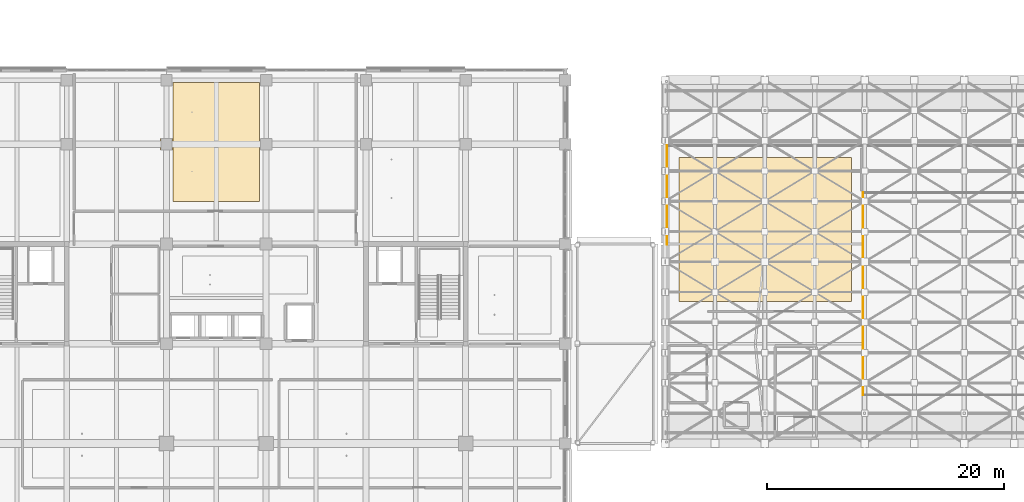
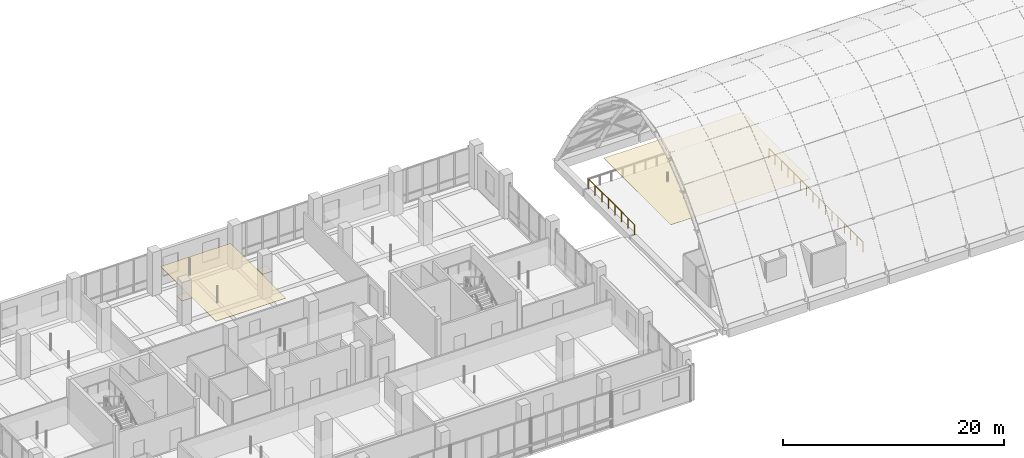
# One storey, part 113 of 128: 2 coverings, 2 railings.
"""IFC4 building model written with IfcOpenShell, lengths in metres."""

from ifc_helpers import new_model, si_unit, direction, frame, origin, origin_2d, place, context, subcontext, project, spatial, polyline, circle, outline, extrude, material, layer, layer_set, type_object, element, save


model = new_model("IFC4")

# Units and contexts
model_context = context("Model", 3, precision=1e-05, world=origin(), true_north=direction((0.0, 1.0)))
body_context = subcontext(model_context, "Body", "Model", "MODEL_VIEW")
ifc_project = project(units=[si_unit("LENGTHUNIT", "METRE"), si_unit("AREAUNIT", "SQUARE_METRE"), si_unit("VOLUMEUNIT", "CUBIC_METRE"), si_unit("PLANEANGLEUNIT", "RADIAN"), si_unit("MASSUNIT", "GRAM", prefix="KILO")], contexts=[model_context])

# Site, building, storey
site_placement = place(None, origin())
site = spatial("IfcSite", under=ifc_project, at=site_placement, CompositionType="ELEMENT")
building_placement = place(site_placement, origin())
building = spatial("IfcBuilding", under=site, at=building_placement, Name="Telukmera Botanical Conservatory", CompositionType="ELEMENT")
storey_placement = place(building_placement, frame((0.0, 0.0, 5.39990234375)))
storey = spatial("IfcBuildingStorey", under=building, at=storey_placement, Name="L01", CompositionType="ELEMENT", Elevation=5.39990234375)

# Coverings
ifc_material_1 = material(Name="Mineral fibre acoustic ceiling")
ifc_layer_1 = layer(ifc_material_1, 0.030029296875)
ifc_layer_set_1 = layer_set([ifc_layer_1], Name="Mineral fibre acoustic ceiling")
covering_type_1 = type_object("IfcCoveringType", Name="COV-CEIL-30", PredefinedType="CEILING", material=ifc_layer_set_1)
covering_1_placement = place(storey_placement, frame((0.0, 0.0, 3.6201171875)))
element("IfcCovering", 1, at=covering_1_placement, inside=storey, type_object=covering_type_1, Name="L01 Conservatory Epiphyte Gallery Suspended Acoustic Ceiling", PredefinedType="CEILING", context=body_context, shape_type="SweptSolid", body=[
    extrude(outline(polyline([(118.75, 29.550048828125), (133.300048828125, 29.550048828125), (133.300048828125, 41.699951171875), (118.75, 41.699951171875), (118.75, 29.550048828125)])), origin(), (0.0, 0.0, 1.0), 0.030029296875),
])
ifc_material_2 = material(Name="Perforated gypsum acoustic ceiling")
ifc_layer_2 = layer(ifc_material_2, 0.0400390625)
ifc_layer_set_2 = layer_set([ifc_layer_2], Name="Perforated gypsum acoustic ceiling")
covering_type_2 = type_object("IfcCoveringType", Name="COV-CEIL-40", PredefinedType="CEILING", material=ifc_layer_set_2)
covering_2_placement = place(storey_placement, frame((0.0, 0.0, 2.760009765625)))
element("IfcCovering", 2, at=covering_2_placement, inside=storey, type_object=covering_type_2, Name="L01 Digital Floristics Laboratory Suspended Acoustic Ceiling", PredefinedType="CEILING", context=body_context, shape_type="SweptSolid", body=[
    extrude(outline(polyline([(76.14501953125, 38.0), (83.455078125, 38.0), (83.455078125, 48.0), (76.14501953125, 48.0), (76.14501953125, 38.0)]), holes=[polyline([(75.10498046875, 42.304931640625), (76.094970703125, 42.304931640625), (76.094970703125, 43.294921875), (75.10498046875, 43.294921875), (75.10498046875, 42.304931640625)]), polyline([(83.5048828125, 42.304931640625), (84.4951171875, 42.304931640625), (84.4951171875, 43.294921875), (83.5048828125, 43.294921875), (83.5048828125, 42.304931640625)])]), origin(), (0.0, 0.0, 1.0), 0.0400390625),
])

# Railings
ifc_material_3 = material(Name="Brushed stainless steel grade 316", Category="steel")
railing_type = type_object("IfcRailingType", Name="Conservatory Canopy Walkway Guardrail 1100", PredefinedType="GUARDRAIL", material=ifc_material_3)
railing_1_placement = place(storey_placement, frame((134.280029296875, 38.719970703125, 0.0)))
element("IfcRailing", 3, at=railing_1_placement, inside=storey, type_object=railing_type, Name="Conservatory Canopy Walkway Guardrail VOID_W", PredefinedType="GUARDRAIL", context=body_context, shape_type="SweptSolid", body=[
    extrude(circle(Radius=0.02490234375, at=origin_2d()), frame((0.0, 0.0, 1.09521484375), z_axis=(0.0, -1.0, 0.0), x_axis=(1.0, 0.0, 0.0)), (0.0, 0.0, 1.0), 17.0400390625),
    extrude(circle(Radius=0.02099609375, at=origin_2d()), origin(), (0.0, 0.0, 1.0), 1.070068359375),
    extrude(circle(Radius=0.02099609375, at=origin_2d()), frame((0.0, -1.135986328125, 0.0)), (0.0, 0.0, 1.0), 1.070068359375),
    extrude(circle(Radius=0.02099609375, at=origin_2d()), frame((0.0, -2.27197265625, 0.0)), (0.0, 0.0, 1.0), 1.070068359375),
    extrude(circle(Radius=0.02099609375, at=origin_2d()), frame((0.0, -3.407958984375, 0.0)), (0.0, 0.0, 1.0), 1.070068359375),
    extrude(circle(Radius=0.02099609375, at=origin_2d()), frame((0.0, -4.5439453125, 0.0)), (0.0, 0.0, 1.0), 1.070068359375),
    extrude(circle(Radius=0.02099609375, at=origin_2d()), frame((0.0, -5.679931640625, 0.0)), (0.0, 0.0, 1.0), 1.070068359375),
    extrude(circle(Radius=0.02099609375, at=origin_2d()), frame((0.0, -6.81591796875, 0.0)), (0.0, 0.0, 1.0), 1.070068359375),
    extrude(circle(Radius=0.02099609375, at=origin_2d()), frame((0.0, -7.951904296875, 0.0)), (0.0, 0.0, 1.0), 1.070068359375),
    extrude(circle(Radius=0.02099609375, at=origin_2d()), frame((0.0, -9.088134765625, 0.0)), (0.0, 0.0, 1.0), 1.070068359375),
    extrude(circle(Radius=0.02099609375, at=origin_2d()), frame((0.0, -10.22412109375, 0.0)), (0.0, 0.0, 1.0), 1.070068359375),
    extrude(circle(Radius=0.02099609375, at=origin_2d()), frame((0.0, -11.360107421875, 0.0)), (0.0, 0.0, 1.0), 1.070068359375),
    extrude(circle(Radius=0.02099609375, at=origin_2d()), frame((0.0, -12.49609375, 0.0)), (0.0, 0.0, 1.0), 1.070068359375),
    extrude(circle(Radius=0.02099609375, at=origin_2d()), frame((0.0, -13.632080078125, 0.0)), (0.0, 0.0, 1.0), 1.070068359375),
    extrude(circle(Radius=0.02099609375, at=origin_2d()), frame((0.0, -14.76806640625, 0.0)), (0.0, 0.0, 1.0), 1.070068359375),
    extrude(circle(Radius=0.02099609375, at=origin_2d()), frame((0.0, -15.904052734375, 0.0)), (0.0, 0.0, 1.0), 1.070068359375),
    extrude(circle(Radius=0.02099609375, at=origin_2d()), frame((0.0, -17.0400390625, 0.0)), (0.0, 0.0, 1.0), 1.070068359375),
])
railing_2_placement = place(storey_placement, frame((117.75, 34.35009765625, 0.0)))
element("IfcRailing", 4, at=railing_2_placement, inside=storey, type_object=railing_type, Name="Conservatory Canopy Walkway Guardrail OUTER_W", PredefinedType="GUARDRAIL", context=body_context, shape_type="SweptSolid", body=[
    extrude(circle(Radius=0.02490234375, at=origin_2d()), frame((0.0, 0.0, 1.09521484375), z_axis=(0.0, 1.0, 0.0), x_axis=(-1.0, 0.0, 0.0)), (0.0, 0.0, 1.0), 8.329833984375),
    extrude(circle(Radius=0.02099609375, at=origin_2d()), origin(), (0.0, 0.0, 1.0), 1.070068359375),
    extrude(circle(Radius=0.02099609375, at=origin_2d()), frame((0.0, 1.18994140625, 0.0)), (0.0, 0.0, 1.0), 1.070068359375),
    extrude(circle(Radius=0.02099609375, at=origin_2d()), frame((0.0, 2.3798828125, 0.0)), (0.0, 0.0, 1.0), 1.070068359375),
    extrude(circle(Radius=0.02099609375, at=origin_2d()), frame((0.0, 3.56982421875, 0.0)), (0.0, 0.0, 1.0), 1.070068359375),
    extrude(circle(Radius=0.02099609375, at=origin_2d()), frame((0.0, 4.760009765625, 0.0)), (0.0, 0.0, 1.0), 1.070068359375),
    extrude(circle(Radius=0.02099609375, at=origin_2d()), frame((0.0, 5.949951171875, 0.0)), (0.0, 0.0, 1.0), 1.070068359375),
    extrude(circle(Radius=0.02099609375, at=origin_2d()), frame((0.0, 7.139892578125, 0.0)), (0.0, 0.0, 1.0), 1.070068359375),
    extrude(circle(Radius=0.02099609375, at=origin_2d()), frame((0.0, 8.329833984375, 0.0)), (0.0, 0.0, 1.0), 1.070068359375),
])

save(model, "model.ifc")
